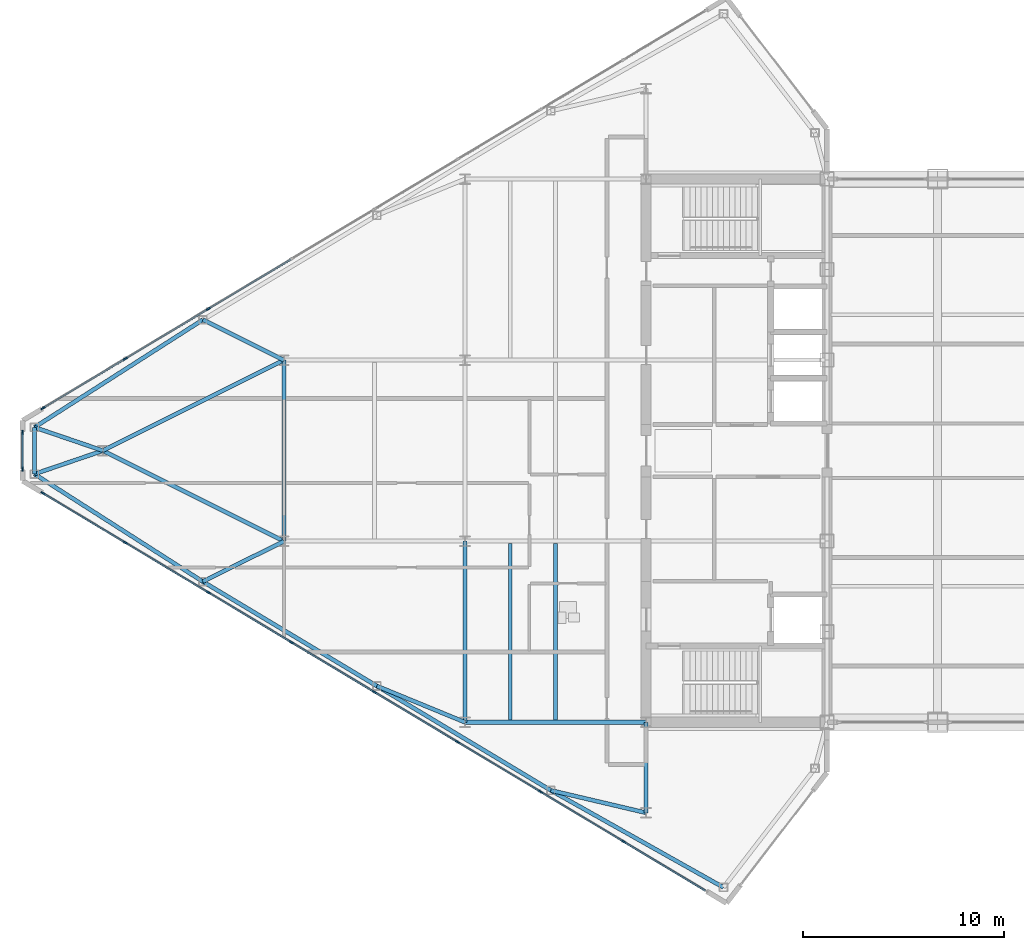
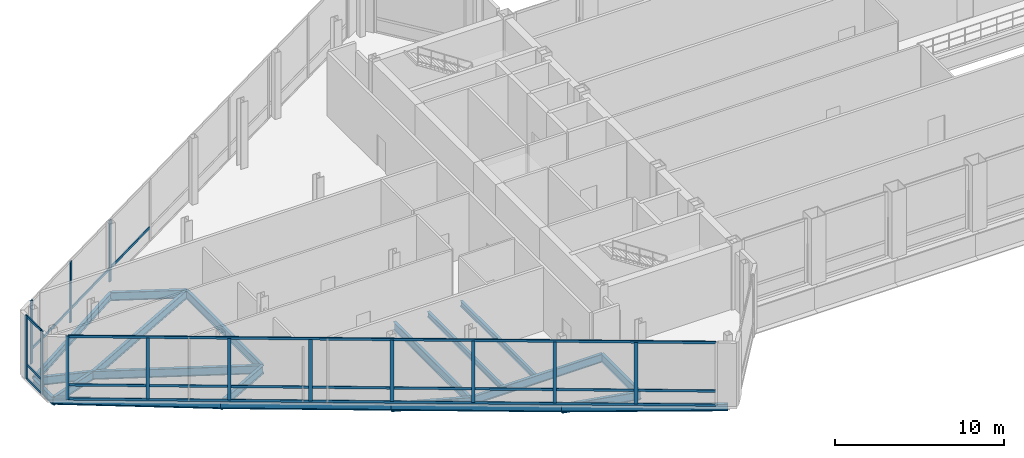
# One storey, part 8 of 30: 29 members, 20 beams, 3 elements without a shape of their own.
"""IFC4 building model written with IfcOpenShell, lengths in metres."""

import ifcopenshell
import ifcopenshell.guid

model = None  # the IFC model being written
_history = None  # IfcOwnerHistory: only IFC2X3 demands one
_inside = {}  # id of a spatial element -> (the spatial element, [elements in it])
_under = {}  # id of a project, library or spatial element -> (it, [spatial elements below it])
_declared = {}  # id of a project -> (the project, [libraries it declares])
_typed = {}  # id of a type object -> (the type object, [elements of that type])
_made_of = {}  # id of a material, layer set ... -> (it, [elements and type objects made of it])


def new_model(schema):
    """Start an empty IFC model of exactly this schema.

    Asked for "IFC4X3", IfcOpenShell would pick the latest addendum, in which some entities
    have other attributes; the version numbers below select the first issue.
    IFC2X3 requires an IfcOwnerHistory on every rooted entity: one is made here for all.
    """
    global model, _history
    if schema == "IFC4X3":
        model = ifcopenshell.file(schema_version=(4, 3, 0, 0))
    else:
        model = ifcopenshell.file(schema=schema)
    _inside.clear()
    _under.clear()
    _declared.clear()
    _typed.clear()
    _made_of.clear()
    _history = None
    if model.schema == "IFC2X3":
        org = make("IfcOrganization", Name="unknown")
        user = make(
            "IfcPersonAndOrganization",
            ThePerson=make("IfcPerson", FamilyName="unknown"),
            TheOrganization=org,
        )
        app = make(
            "IfcApplication",
            ApplicationDeveloper=org,
            Version="unknown",
            ApplicationFullName="unknown",
            ApplicationIdentifier="unknown",
        )
        _history = make(
            "IfcOwnerHistory",
            OwningUser=user,
            OwningApplication=app,
            ChangeAction="ADDED",
            CreationDate=0,
        )
    return model


def make(cls, **values):
    """One entity of the class cls with the attributes given. An attribute that is None is left unset."""
    return model.create_entity(
        cls, **{name: value for name, value in values.items() if value is not None}
    )


def rooted(cls, **values):
    """An entity with a GlobalId (a new one), such as an element, a storey or a relation."""
    return make(cls, GlobalId=ifcopenshell.guid.new(), OwnerHistory=_history, **values)


def si_unit(unit_type, name, prefix=None):
    """IfcSIUnit, for example si_unit("LENGTHUNIT", "METRE", prefix="MILLI")."""
    return make("IfcSIUnit", UnitType=unit_type, Prefix=prefix, Name=name)


def assignment(units):
    """IfcUnitAssignment: the units of a project."""
    return None if units is None else make("IfcUnitAssignment", Units=units)


def point(xyz):
    """IfcCartesianPoint."""
    return None if xyz is None else make("IfcCartesianPoint", Coordinates=xyz)


def direction(xyz):
    """IfcDirection."""
    return None if xyz is None else make("IfcDirection", DirectionRatios=xyz)


def frame(location, z_axis=None, x_axis=None):
    """IfcAxis2Placement3D, a coordinate frame: its origin and axes. An axis left out is left unset."""
    return make(
        "IfcAxis2Placement3D",
        Location=point(location),
        Axis=direction(z_axis),
        RefDirection=direction(x_axis),
    )


def frame_2d(location, x_axis=None):
    """IfcAxis2Placement2D, a coordinate frame in the plane: its origin and x axis."""
    return make(
        "IfcAxis2Placement2D", Location=point(location), RefDirection=direction(x_axis)
    )


def origin():
    """The frame at (0, 0, 0) with its axes left unset."""
    return frame((0.0, 0.0, 0.0))


def origin_2d():
    """The frame at (0, 0) in the plane with its x axis left unset."""
    return frame_2d((0.0, 0.0))


def place(relative_to, where):
    """IfcLocalPlacement: puts the frame where relative to a parent placement (None: the world)."""
    return make(
        "IfcLocalPlacement", PlacementRelTo=relative_to, RelativePlacement=where
    )


def context(
    kind, dimensions, precision=None, world=None, true_north=None, identifier=None
):
    """IfcGeometricRepresentationContext, for example the 3D "Model" context."""
    return make(
        "IfcGeometricRepresentationContext",
        ContextIdentifier=identifier,
        ContextType=kind,
        CoordinateSpaceDimension=dimensions,
        Precision=precision,
        WorldCoordinateSystem=world,
        TrueNorth=true_north,
    )


def subcontext(parent, identifier, kind, view, scale=None):
    """IfcGeometricRepresentationSubContext, for example "Body" below "Model"."""
    return make(
        "IfcGeometricRepresentationSubContext",
        ContextIdentifier=identifier,
        ContextType=kind,
        ParentContext=parent,
        TargetScale=scale,
        TargetView=view,
    )


def project(units=None, contexts=None):
    """IfcProject with its units and contexts."""
    return rooted(
        "IfcProject",
        Name="project",
        RepresentationContexts=contexts,
        UnitsInContext=assignment(units),
    )


def spatial(cls, under=None, at=None, **own):
    """A site, building, storey or space (cls), placed at a placement, below another one or the project."""
    s = rooted(cls, ObjectPlacement=at, **own)
    if under is not None:
        _under.setdefault(under.id(), (under, []))[1].append(s)
    return s


def profile(cls, at=None, kind="AREA", **sizes):
    """A parametric profile (cls). Its sizes go by their IFC names, for example OverallWidth=200.0."""
    return make(cls, ProfileType=kind, Position=at, **sizes)


def rectangle(**sizes):
    """IfcRectangleProfileDef."""
    return profile("IfcRectangleProfileDef", **sizes)


def i_section(**sizes):
    """IfcIShapeProfileDef."""
    return profile("IfcIShapeProfileDef", **sizes)


def extrude(swept, where, along, depth):
    """IfcExtrudedAreaSolid: the profile swept, set in the frame where, extruded along a direction by depth."""
    return make(
        "IfcExtrudedAreaSolid",
        SweptArea=swept,
        Position=where,
        ExtrudedDirection=direction(along),
        Depth=depth,
    )


def shape(context_of_items, identifier, shape_type, items):
    """IfcShapeRepresentation: the items that make up one representation, for example the "Body"."""
    return make(
        "IfcShapeRepresentation",
        ContextOfItems=context_of_items,
        RepresentationIdentifier=identifier,
        RepresentationType=shape_type,
        Items=items,
    )


def source(mapping_origin, context_of_items, identifier, shape_type, items):
    """IfcRepresentationMap: a shape defined once, which mapped items show again and again."""
    return make(
        "IfcRepresentationMap",
        MappingOrigin=mapping_origin,
        MappedRepresentation=shape(context_of_items, identifier, shape_type, items),
    )


def transform(
    local_origin,
    x_axis=None,
    y_axis=None,
    z_axis=None,
    scale=None,
    scale2=None,
    scale3=None,
    uniform=True,
):
    """IfcCartesianTransformationOperator3D, or its non-uniform kind. x_axis, y_axis, z_axis: its Axis1, 2, 3."""
    if uniform:
        return make(
            "IfcCartesianTransformationOperator3D",
            Axis1=direction(x_axis),
            Axis2=direction(y_axis),
            LocalOrigin=point(local_origin),
            Scale=scale,
            Axis3=direction(z_axis),
        )
    return make(
        "IfcCartesianTransformationOperator3DnonUniform",
        Axis1=direction(x_axis),
        Axis2=direction(y_axis),
        LocalOrigin=point(local_origin),
        Scale=scale,
        Axis3=direction(z_axis),
        Scale2=scale2,
        Scale3=scale3,
    )


def mapped(mapping_source, mapping_target):
    """IfcMappedItem: shows the shape of a source again, moved by a transform."""
    return make(
        "IfcMappedItem", MappingSource=mapping_source, MappingTarget=mapping_target
    )


def material(Name=None, Category=None):
    """IfcMaterial."""
    return make("IfcMaterial", Name=Name, Category=Category)


def layer(
    of_material, thickness, ventilated=None, Name=None, Category=None, Priority=None
):
    """IfcMaterialLayer: one layer of a wall or slab, of a material (None: an air gap)."""
    return make(
        "IfcMaterialLayer",
        Material=of_material,
        LayerThickness=thickness,
        IsVentilated=ventilated,
        Name=Name,
        Category=Category,
        Priority=Priority,
    )


def layer_set(layers, Name=None):
    """IfcMaterialLayerSet."""
    return make("IfcMaterialLayerSet", MaterialLayers=layers, LayerSetName=Name)


def material_profile(
    of_material, cross_section, Name=None, Category=None, Priority=None
):
    """IfcMaterialProfile: a cross section and its material."""
    return make(
        "IfcMaterialProfile",
        Name=Name,
        Material=of_material,
        Profile=cross_section,
        Priority=Priority,
        Category=Category,
    )


def profile_set(profiles, Name=None, composite=None):
    """IfcMaterialProfileSet."""
    return make(
        "IfcMaterialProfileSet",
        Name=Name,
        MaterialProfiles=profiles,
        CompositeProfile=composite,
    )


def made_of(thing, what):
    """Note that an element or type object is made of a material, layer set ...; save() writes the relation."""
    if what is not None:
        _made_of.setdefault(what.id(), (what, []))[1].append(thing)
    return thing


def type_object(cls, material=None, **own):
    """A type object (cls), such as IfcWallType, which elements share."""
    return made_of(rooted(cls, **own), material)


def type_shapes(of_type, sources):
    """Give a type object the sources (RepresentationMaps) that its elements show as mapped items."""
    of_type.RepresentationMaps = sources


def element(
    cls,
    number,
    at=None,
    inside=None,
    cuts=None,
    type_object=None,
    material=None,
    context=None,
    identifier="Body",
    shape_type=None,
    held_by="IfcProductDefinitionShape",
    body=None,
    shapes=None,
    **own,
):
    """One element of the class cls, such as IfcWall. Its Tag is "e" and its number.

    at: its placement. inside: the storey or other place that contains it. cuts: it is an
    opening in that element (IfcRelVoidsElement). A single representation is given by context,
    identifier, shape_type and body (its items); several are given by shapes. held_by: the class
    of the entity that holds the representations. save() writes the other relations.
    """
    e = rooted(cls, Tag="e%d" % number, ObjectPlacement=at, **own)
    if body is not None:
        shapes = [shape(context, identifier, shape_type, body)]
    if shapes is not None:
        e.Representation = make(held_by, Representations=shapes)
    if inside is not None:
        _inside.setdefault(inside.id(), (inside, []))[1].append(e)
    if cuts is not None:
        rooted(
            "IfcRelVoidsElement", RelatingBuildingElement=cuts, RelatedOpeningElement=e
        )
    if type_object is not None:
        _typed.setdefault(type_object.id(), (type_object, []))[1].append(e)
    return made_of(e, material)


def aggregate(whole, parts):
    """IfcRelAggregates: a whole, such as a stair, and the parts it consists of."""
    return rooted("IfcRelAggregates", RelatingObject=whole, RelatedObjects=parts)


def save(model, path):
    """Write the relations noted so far, then the file.

    IfcRelAggregates (storeys below a building ...), IfcRelContainedInSpatialStructure (elements
    in a storey), IfcRelDefinesByType, IfcRelAssociatesMaterial and IfcRelDeclares: one each for
    every whole, place, type object, material and project.
    """
    for whole, parts in _under.values():
        aggregate(whole, parts)
    for where, things in _inside.values():
        rooted(
            "IfcRelContainedInSpatialStructure",
            RelatedElements=things,
            RelatingStructure=where,
        )
    for kind, things in _typed.values():
        rooted("IfcRelDefinesByType", RelatedObjects=things, RelatingType=kind)
    for what, things in _made_of.values():
        rooted("IfcRelAssociatesMaterial", RelatedObjects=things, RelatingMaterial=what)
    for by, libraries in _declared.values():
        rooted("IfcRelDeclares", RelatingContext=by, RelatedDefinitions=libraries)
    model.write(path)


model = new_model("IFC4")

# Units and contexts
model_context = context("Model", 3, precision=1e-05, world=origin(), true_north=direction((0.0, 1.0)))
body_context = subcontext(model_context, "Body", "Model", "MODEL_VIEW")
ifc_project = project(units=[si_unit("LENGTHUNIT", "METRE"), si_unit("AREAUNIT", "SQUARE_METRE"), si_unit("VOLUMEUNIT", "CUBIC_METRE"), si_unit("PLANEANGLEUNIT", "RADIAN"), si_unit("MASSUNIT", "GRAM", prefix="KILO")], contexts=[model_context])

# Site, building, storey
site_placement = place(None, origin())
site = spatial("IfcSite", under=ifc_project, at=site_placement, CompositionType="ELEMENT")
building_placement = place(site_placement, origin())
building = spatial("IfcBuilding", under=site, at=building_placement, Name="Seokmaru Belvedere", CompositionType="ELEMENT")
storey_placement = place(building_placement, frame((0.0, 0.0, 234.60009765625)))
storey = spatial("IfcBuildingStorey", under=building, at=storey_placement, Name="L62", CompositionType="ELEMENT", Elevation=234.60009765625)

# Beams
ifc_material_1 = material(Name="Steel SM355 (355 MPa)", Category="steel")
ifc_material_profile_1 = material_profile(ifc_material_1, i_section(OverallWidth=0.199951171875, OverallDepth=0.60009765625, WebThickness=0.010986328125, FlangeThickness=0.01708984375, at=origin_2d()), Name="H-600x200x11x17")
ifc_profile_set_1 = profile_set([ifc_material_profile_1], Name="Steel SM355 (355 MPa)")
beam_type_1 = type_object("IfcBeamType", Name="Primary Floor Girder H-600", PredefinedType="BEAM", material=ifc_profile_set_1)
shared_shape_1 = source(origin(), body_context, "Body", "SweptSolid", [
    extrude(i_section(OverallWidth=0.199951171875, OverallDepth=0.60009765625, WebThickness=0.010986328125, FlangeThickness=0.01708984375, at=origin_2d()), origin(), (0.0, 0.0, 1.0), 9.0),
])
for number, where, z_axis, x_axis, name in (
    (1, (-45.5, -13.5, -0.56005859375), (0.0, 1.0, 0.0), (-1.0, 0.0, 0.0), "L62 W Interior Grid Girder 1"),
    (2, (-45.5, -13.5, -0.56005859375), (1.0, 0.0, 0.0), (0.0, 1.0, 0.0), "L62 W Wing Primary Girder 1"),
    (3, (-54.5, -4.5, -0.56005859375), (0.0, 1.0, 0.0), (-1.0, 0.0, 0.0), "L62 W Apex Frame Girder"),
):
    element("IfcBeam", number, at=place(storey_placement, frame(where, z_axis=z_axis, x_axis=x_axis)), inside=storey, type_object=beam_type_1, Name=name, PredefinedType="BEAM", context=body_context, shape_type="MappedRepresentation", body=[
        mapped(shared_shape_1, transform((0.0, 0.0, 0.0), scale=1.0)),
    ])
shared_shape_2 = source(origin(), body_context, "Body", "SweptSolid", [
    extrude(i_section(OverallWidth=0.199951171875, OverallDepth=0.60009765625, WebThickness=0.010986328125, FlangeThickness=0.01708984375, at=origin_2d()), origin(), (0.0, 0.0, 1.0), 10.062255859375),
])
for number, where, z_axis, x_axis, name in (
    (4, (-54.5, -4.5, -0.56005859375), (-0.894427191, 0.4472135955, 0.0), (-0.4472135955, -0.894427191, 0.0), "L62 W Apex Converging Girder 1"),
    (5, (-54.5, 4.5, -0.56005859375), (-0.894427191, -0.4472135955, 0.0), (0.4472135955, -0.894427191, 0.0), "L62 W Apex Converging Girder 2"),
):
    element("IfcBeam", number, at=place(storey_placement, frame(where, z_axis=z_axis, x_axis=x_axis)), inside=storey, type_object=beam_type_1, Name=name, PredefinedType="BEAM", context=body_context, shape_type="MappedRepresentation", body=[
        mapped(shared_shape_2, transform((0.0, 0.0, 0.0), scale=1.0)),
    ])
ifc_material_profile_2 = material_profile(ifc_material_1, i_section(OverallWidth=0.18505859375, OverallDepth=0.389892578125, WebThickness=0.008056640625, FlangeThickness=0.011962890625, at=origin_2d()), Name="H-390x185x8x12")
ifc_profile_set_2 = profile_set([ifc_material_profile_2], Name="Steel SM355 (355 MPa)")
beam_type_2 = type_object("IfcBeamType", Name="Secondary Floor Joist H-350", PredefinedType="JOIST", material=ifc_profile_set_2)
shared_shape_3 = source(origin(), body_context, "Body", "SweptSolid", [
    extrude(i_section(OverallWidth=0.18505859375, OverallDepth=0.389892578125, WebThickness=0.008056640625, FlangeThickness=0.011962890625, at=origin_2d()), origin(), (0.0, 0.0, 1.0), 8.7900390625),
])
type_shapes(beam_type_2, [shared_shape_3])
for number, where, z_axis, x_axis, name in (
    (6, (-43.25, -13.39501953125, -0.455078125), (0.0, 1.0, 0.0), (-1.0, 0.0, 0.0), "L62 W Wing Inner Secondary Joist 1"),
    (7, (-41.0, -13.39501953125, -0.455078125), (0.0, 1.0, 0.0), (-1.0, 0.0, 0.0), "L62 W Secondary Floor Joist 1"),
):
    element("IfcBeam", number, at=place(storey_placement, frame(where, z_axis=z_axis, x_axis=x_axis)), inside=storey, type_object=beam_type_2, Name=name, PredefinedType="JOIST", context=body_context, shape_type="MappedRepresentation", body=[
        mapped(shared_shape_3, transform((0.0, 0.0, 0.0), scale=1.0)),
    ])
shared_shape_4 = source(origin(), body_context, "Body", "SweptSolid", [
    extrude(i_section(OverallWidth=0.199951171875, OverallDepth=0.60009765625, WebThickness=0.010986328125, FlangeThickness=0.01708984375, at=origin_2d()), origin(), (0.0, 0.0, 1.0), 4.5),
])
beam_1_placement = place(storey_placement, frame((-36.5, -18.0, -0.56005859375), z_axis=(0.0, 1.0, 0.0), x_axis=(-1.0, 0.0, 0.0)))
element("IfcBeam", 8, at=beam_1_placement, inside=storey, type_object=beam_type_1, Name="L62 W Core Shoulder Girder S", PredefinedType="BEAM", context=body_context, shape_type="MappedRepresentation", body=[
    mapped(shared_shape_4, transform((0.0, 0.0, 0.0), scale=1.0)),
])
ifc_material_profile_3 = material_profile(ifc_material_1, i_section(OverallWidth=0.199951171875, OverallDepth=0.5, WebThickness=0.010009765625, FlangeThickness=0.01611328125, at=origin_2d()), Name="H-500x200x10x16")
ifc_profile_set_3 = profile_set([ifc_material_profile_3], Name="Steel SM355 (355 MPa)")
beam_type_3 = type_object("IfcBeamType", Name="Perimeter Spandrel Beam H-500", PredefinedType="SPANDREL", material=ifc_profile_set_3)
shared_shape_5 = source(origin(), body_context, "Body", "SweptSolid", [
    extrude(i_section(OverallWidth=0.199951171875, OverallDepth=0.5, WebThickness=0.010009765625, FlangeThickness=0.01611328125, at=origin_2d()), origin(), (0.0, 0.0, 1.0), 9.842041015625),
])
beam_2_placement = place(storey_placement, frame((-32.649658203125, -21.71044921875, -0.510009765625), z_axis=(-0.871782151818, 0.489893743349, 0.0), x_axis=(-0.489893743349, -0.871782151818, 0.0)))
element("IfcBeam", 9, at=beam_2_placement, inside=storey, type_object=beam_type_3, Name="L62 W Faceted Flank Spandrel S-1", PredefinedType="SPANDREL", context=body_context, shape_type="MappedRepresentation", body=[
    mapped(shared_shape_5, transform((0.0, 0.0, 0.0), scale=1.0)),
])
shared_shape_6 = source(origin(), body_context, "Body", "SweptSolid", [
    extrude(i_section(OverallWidth=0.199951171875, OverallDepth=0.5, WebThickness=0.010009765625, FlangeThickness=0.01611328125, at=origin_2d()), origin(), (0.0, 0.0, 1.0), 10.087646484375),
])
for number, where, z_axis, x_axis, name in (
    (10, (-41.229736328125, -16.888916015625, -0.510009765625), (-0.857499332045, 0.514485078056, 0.0), (-0.514485078056, -0.857499332045, 0.0), "L62 W Faceted Flank Spandrel S-2"),
    (11, (-49.8798828125, -11.698974609375, -0.510009765625), (-0.857488654804, 0.514502873542, 0.0), (-0.514502873542, -0.857488654804, 0.0), "L62 W Faceted Flank Spandrel S-3"),
):
    element("IfcBeam", number, at=place(storey_placement, frame(where, z_axis=z_axis, x_axis=x_axis)), inside=storey, type_object=beam_type_3, Name=name, PredefinedType="SPANDREL", context=body_context, shape_type="MappedRepresentation", body=[
        mapped(shared_shape_6, transform((0.0, 0.0, 0.0), scale=1.0)),
    ])
shared_shape_7 = source(origin(), body_context, "Body", "SweptSolid", [
    extrude(i_section(OverallWidth=0.199951171875, OverallDepth=0.5, WebThickness=0.010009765625, FlangeThickness=0.01611328125, at=origin_2d()), origin(), (0.0, 0.0, 1.0), 9.932861328125),
])
for number, where, z_axis, x_axis, name in (
    (12, (-58.530029296875, -6.5087890625, -0.510009765625), (-0.842651960357, 0.538458609093, 0.0), (-0.538458609093, -0.842651960357, 0.0), "L62 W Faceted Flank Spandrel S-4"),
    (13, (-58.530029296875, 6.5087890625, -0.510009765625), (-0.842651960357, -0.538458609093, 0.0), (0.538458609093, -0.842651960357, 0.0), "L62 W Faceted Flank Spandrel N-4"),
):
    element("IfcBeam", number, at=place(storey_placement, frame(where, z_axis=z_axis, x_axis=x_axis)), inside=storey, type_object=beam_type_3, Name=name, PredefinedType="SPANDREL", context=body_context, shape_type="MappedRepresentation", body=[
        mapped(shared_shape_7, transform((0.0, 0.0, 0.0), scale=1.0)),
    ])
shared_shape_8 = source(origin(), body_context, "Body", "SweptSolid", [
    extrude(i_section(OverallWidth=0.199951171875, OverallDepth=0.5, WebThickness=0.010009765625, FlangeThickness=0.01611328125, at=origin_2d()), origin(), (0.0, 0.0, 1.0), 2.32080078125),
])
type_shapes(beam_type_3, [shared_shape_5, shared_shape_6, shared_shape_7, shared_shape_8])
beam_3_placement = place(storey_placement, frame((-66.89990234375, -1.160400390625, -0.510009765625), z_axis=(0.0, 1.0, 0.0), x_axis=(-1.0, 0.0, 0.0)))
element("IfcBeam", 14, at=beam_3_placement, inside=storey, type_object=beam_type_3, Name="L62 W Faceted Apex Spandrel", PredefinedType="SPANDREL", context=body_context, shape_type="MappedRepresentation", body=[
    mapped(shared_shape_8, transform((0.0, 0.0, 0.0), scale=1.0)),
])
shared_shape_9 = source(origin(), body_context, "Body", "SweptSolid", [
    extrude(i_section(OverallWidth=0.199951171875, OverallDepth=0.60009765625, WebThickness=0.010986328125, FlangeThickness=0.01708984375, at=origin_2d()), origin(), (0.0, 0.0, 1.0), 4.8583984375),
])
beam_4_placement = place(storey_placement, frame((-41.229736328125, -16.888916015625, -0.56005859375), z_axis=(0.97349948295, -0.228689214211, 0.0), x_axis=(0.228689214211, 0.97349948295, 0.0)))
element("IfcBeam", 15, at=beam_4_placement, inside=storey, type_object=beam_type_1, Name="L62 W Flank Radial Floor Girder S-1", PredefinedType="BEAM", context=body_context, shape_type="MappedRepresentation", body=[
    mapped(shared_shape_9, transform((0.0, 0.0, 0.0), scale=1.0)),
])
shared_shape_10 = source(origin(), body_context, "Body", "SweptSolid", [
    extrude(i_section(OverallWidth=0.199951171875, OverallDepth=0.60009765625, WebThickness=0.010986328125, FlangeThickness=0.01708984375, at=origin_2d()), origin(), (0.0, 0.0, 1.0), 4.73583984375),
])
beam_5_placement = place(storey_placement, frame((-49.8798828125, -11.698974609375, -0.56005859375), z_axis=(0.924860562953, -0.380306375301, 0.0), x_axis=(0.380306375301, 0.924860562953, 0.0)))
element("IfcBeam", 16, at=beam_5_placement, inside=storey, type_object=beam_type_1, Name="L62 W Flank Radial Floor Girder S-2", PredefinedType="BEAM", context=body_context, shape_type="MappedRepresentation", body=[
    mapped(shared_shape_10, transform((0.0, 0.0, 0.0), scale=1.0)),
])
shared_shape_11 = source(origin(), body_context, "Body", "SweptSolid", [
    extrude(i_section(OverallWidth=0.199951171875, OverallDepth=0.60009765625, WebThickness=0.010986328125, FlangeThickness=0.01708984375, at=origin_2d()), origin(), (0.0, 0.0, 1.0), 4.5029296875),
])
for number, where, z_axis, x_axis, name in (
    (17, (-58.530029296875, -6.5087890625, -0.56005859375), (0.894979532585, 0.446107202648, 0.0), (-0.446107202648, 0.894979532585, 0.0), "L62 W Flank Radial Floor Girder S-3"),
    (18, (-58.530029296875, 6.5087890625, -0.56005859375), (0.894979532585, -0.446107202648, 0.0), (0.446107202648, 0.894979532585, 0.0), "L62 W Flank Radial Floor Girder N-3"),
):
    element("IfcBeam", number, at=place(storey_placement, frame(where, z_axis=z_axis, x_axis=x_axis)), inside=storey, type_object=beam_type_1, Name=name, PredefinedType="BEAM", context=body_context, shape_type="MappedRepresentation", body=[
        mapped(shared_shape_11, transform((0.0, 0.0, 0.0), scale=1.0)),
    ])
shared_shape_12 = source(origin(), body_context, "Body", "SweptSolid", [
    extrude(i_section(OverallWidth=0.199951171875, OverallDepth=0.60009765625, WebThickness=0.010986328125, FlangeThickness=0.01708984375, at=origin_2d()), origin(), (0.0, 0.0, 1.0), 3.592529296875),
])
type_shapes(beam_type_1, [shared_shape_1, shared_shape_2, shared_shape_4, shared_shape_9, shared_shape_10, shared_shape_11, shared_shape_12])
for number, where, z_axis, x_axis, name in (
    (19, (-66.89990234375, -1.160400390625, -0.56005859375), (0.946395973048, 0.323008764893, 0.0), (-0.323008764893, 0.946395973048, 0.0), "L62 W Apex Radial Floor Girder 1"),
    (20, (-66.89990234375, 1.160400390625, -0.56005859375), (0.946395973048, -0.323008764893, 0.0), (0.323008764893, 0.946395973048, 0.0), "L62 W Apex Radial Floor Girder 2"),
):
    element("IfcBeam", number, at=place(storey_placement, frame(where, z_axis=z_axis, x_axis=x_axis)), inside=storey, type_object=beam_type_1, Name=name, PredefinedType="BEAM", context=body_context, shape_type="MappedRepresentation", body=[
        mapped(shared_shape_12, transform((0.0, 0.0, 0.0), scale=1.0)),
    ])

# Curtain wall, members
ifc_material_2 = material(Name="Bronze Triple Insulating Glass", Category="glass")
ifc_layer = layer(ifc_material_2, 0.219970703125)
ifc_layer_set = layer_set([ifc_layer], Name="Bronze Triple Insulating Glass")
curtain_wall_type = type_object("IfcCurtainWallType", Name="Sky-Gate Bridge Panorama Curtain Wall System CW-6", PredefinedType="NOTDEFINED", material=ifc_layer_set)
curtain_wall_1_placement = place(storey_placement, origin())
curtain_wall_1 = element("IfcCurtainWall", 21, at=curtain_wall_1_placement, inside=storey, type_object=curtain_wall_type, Name="L62 Curtain Wall WF5", PredefinedType="NOTDEFINED")
ifc_material_3 = material(Name="Anodised Bronze Aluminium", Category="aluminium")
ifc_material_profile_4 = material_profile(ifc_material_3, rectangle(XDim=0.074951171875, YDim=0.179931640625, at=origin_2d()), Name="CW-T-75x180")
ifc_profile_set_4 = profile_set([ifc_material_profile_4], Name="Anodised Bronze Aluminium")
member_type_1 = type_object("IfcMemberType", Name="Bronze Unitised Transom 75x180", PredefinedType="USERDEFINED", material=ifc_profile_set_4)
shared_shape_13 = source(origin(), body_context, "Body", "SweptSolid", [
    extrude(rectangle(XDim=0.074951171875, YDim=0.179931640625, at=origin_2d()), origin(), (0.0, 0.0, 1.0), 38.356689453125),
])
member_1_placement = place(storey_placement, frame((-66.4453125, -2.1328125, 0.037353515625), z_axis=(0.857492925713, -0.514495755428, 0.0), x_axis=(0.514495755428, 0.857492925713, 0.0)))
member_1 = element("IfcMember", 22, at=member_1_placement, type_object=member_type_1, Name="CW:L62:WF5 Continuous Transom 1", ObjectType="TRANSOM", PredefinedType="USERDEFINED", context=body_context, shape_type="MappedRepresentation", body=[
    mapped(shared_shape_13, transform((0.0, 0.0, 0.0), scale=1.0)),
])
member_2_placement = place(storey_placement, frame((-66.4453125, -2.1328125, 4.54248046875), z_axis=(0.857492925713, -0.514495755428, 0.0), x_axis=(0.514495755428, 0.857492925713, 0.0)))
member_2 = element("IfcMember", 23, at=member_2_placement, type_object=member_type_1, Name="CW:L62:WF5 Continuous Transom 2", ObjectType="TRANSOM", PredefinedType="USERDEFINED", context=body_context, shape_type="MappedRepresentation", body=[
    mapped(shared_shape_13, transform((0.0, 0.0, 0.0), scale=1.0)),
])

# Curtain wall, member
curtain_wall_2_placement = place(storey_placement, origin())
curtain_wall_2 = element("IfcCurtainWall", 24, at=curtain_wall_2_placement, inside=storey, type_object=curtain_wall_type, Name="L62 Curtain Wall WF3", PredefinedType="NOTDEFINED")
shared_shape_14 = source(origin(), body_context, "Body", "SweptSolid", [
    extrude(rectangle(XDim=0.074951171875, YDim=0.179931640625, at=origin_2d()), origin(), (0.0, 0.0, 1.0), 4.694580078125),
])
member_3_placement = place(storey_placement, frame((-62.419677734375, 4.548095703125, 1.0498046875), z_axis=(-0.85750210284, -0.514480459906, 0.0), x_axis=(0.514480459906, -0.85750210284, 0.0)))
member_3 = element("IfcMember", 25, at=member_3_placement, type_object=member_type_1, Name="CW:L62:WF3 Spandrel Transom 8", ObjectType="TRANSOM", PredefinedType="USERDEFINED", context=body_context, shape_type="MappedRepresentation", body=[
    mapped(shared_shape_14, transform((0.0, 0.0, 0.0), scale=1.0)),
])

# Member
member_4_placement = place(storey_placement, frame((-66.4453125, -2.1328125, 1.0498046875), z_axis=(0.85750210284, -0.514480459906, 0.0), x_axis=(0.514480459906, 0.85750210284, 0.0)))
member_4 = element("IfcMember", 26, at=member_4_placement, type_object=member_type_1, Name="CW:L62:WF5 Spandrel Transom 1", ObjectType="TRANSOM", PredefinedType="USERDEFINED", context=body_context, shape_type="MappedRepresentation", body=[
    mapped(shared_shape_14, transform((0.0, 0.0, 0.0), scale=1.0)),
])

member_5_placement = place(storey_placement, frame((-37.580322265625, -19.451904296875, 1.0498046875), z_axis=(0.85750210284, -0.514480459906, 0.0), x_axis=(0.514480459906, 0.85750210284, 0.0)))
member_5 = element("IfcMember", 27, at=member_5_placement, type_object=member_type_1, Name="CW:L62:WF5 Spandrel Transom 8", ObjectType="TRANSOM", PredefinedType="USERDEFINED", context=body_context, shape_type="MappedRepresentation", body=[
    mapped(shared_shape_14, transform((0.0, 0.0, 0.0), scale=1.0)),
])

shared_shape_15 = source(origin(), body_context, "Body", "SweptSolid", [
    extrude(rectangle(XDim=0.074951171875, YDim=0.179931640625, at=origin_2d()), origin(), (0.0, 0.0, 1.0), 4.734619140625),
])
member_6_placement = place(storey_placement, frame((-58.291259765625, 7.025390625, 1.0498046875), z_axis=(-0.857479275774, -0.514518504641, 0.0), x_axis=(0.514518504641, -0.857479275774, 0.0)))
member_6 = element("IfcMember", 28, at=member_6_placement, type_object=member_type_1, Name="CW:L62:WF3 Spandrel Transom 7", ObjectType="TRANSOM", PredefinedType="USERDEFINED", context=body_context, shape_type="MappedRepresentation", body=[
    mapped(shared_shape_15, transform((0.0, 0.0, 0.0), scale=1.0)),
])

member_7_placement = place(storey_placement, frame((-62.35107421875, -4.58935546875, 1.0498046875), z_axis=(0.857479275774, -0.514518504641, 0.0), x_axis=(0.514518504641, 0.857479275774, 0.0)))
member_7 = element("IfcMember", 29, at=member_7_placement, type_object=member_type_1, Name="CW:L62:WF5 Spandrel Transom 2", ObjectType="TRANSOM", PredefinedType="USERDEFINED", context=body_context, shape_type="MappedRepresentation", body=[
    mapped(shared_shape_15, transform((0.0, 0.0, 0.0), scale=1.0)),
])

member_8_placement = place(storey_placement, frame((-41.708740234375, -16.974609375, 1.0498046875), z_axis=(0.857479275774, -0.514518504641, 0.0), x_axis=(0.514518504641, 0.857479275774, 0.0)))
member_8 = element("IfcMember", 30, at=member_8_placement, type_object=member_type_1, Name="CW:L62:WF5 Spandrel Transom 7", ObjectType="TRANSOM", PredefinedType="USERDEFINED", context=body_context, shape_type="MappedRepresentation", body=[
    mapped(shared_shape_15, transform((0.0, 0.0, 0.0), scale=1.0)),
])

shared_shape_16 = source(origin(), body_context, "Body", "SweptSolid", [
    extrude(rectangle(XDim=0.074951171875, YDim=0.179931640625, at=origin_2d()), origin(), (0.0, 0.0, 1.0), 4.734375),
])
member_9_placement = place(storey_placement, frame((-54.162841796875, 9.502197265625, 1.0498046875), z_axis=(-0.857502025578, -0.514480588682, 0.0), x_axis=(0.514480588682, -0.857502025578, 0.0)))
member_9 = element("IfcMember", 31, at=member_9_placement, type_object=member_type_1, Name="CW:L62:WF3 Spandrel Transom 6", ObjectType="TRANSOM", PredefinedType="USERDEFINED", context=body_context, shape_type="MappedRepresentation", body=[
    mapped(shared_shape_16, transform((0.0, 0.0, 0.0), scale=1.0)),
])

member_10_placement = place(storey_placement, frame((-58.22265625, -7.06640625, 1.0498046875), z_axis=(0.857502025578, -0.514480588682, 0.0), x_axis=(0.514480588682, 0.857502025578, 0.0)))
member_10 = element("IfcMember", 32, at=member_10_placement, type_object=member_type_1, Name="CW:L62:WF5 Spandrel Transom 3", ObjectType="TRANSOM", PredefinedType="USERDEFINED", context=body_context, shape_type="MappedRepresentation", body=[
    mapped(shared_shape_16, transform((0.0, 0.0, 0.0), scale=1.0)),
])

member_11_placement = place(storey_placement, frame((-45.837158203125, -14.497802734375, 1.0498046875), z_axis=(0.857502025578, -0.514480588682, 0.0), x_axis=(0.514480588682, 0.857502025578, 0.0)))
member_11 = element("IfcMember", 33, at=member_11_placement, type_object=member_type_1, Name="CW:L62:WF5 Spandrel Transom 6", ObjectType="TRANSOM", PredefinedType="USERDEFINED", context=body_context, shape_type="MappedRepresentation", body=[
    mapped(shared_shape_16, transform((0.0, 0.0, 0.0), scale=1.0)),
])

shared_shape_17 = source(origin(), body_context, "Body", "SweptSolid", [
    extrude(rectangle(XDim=0.074951171875, YDim=0.179931640625, at=origin_2d()), origin(), (0.0, 0.0, 1.0), 4.73486328125),
])
member_12_placement = place(storey_placement, frame((-54.09423828125, -9.54345703125, 1.0498046875), z_axis=(0.857492925713, -0.514495755428, 0.0), x_axis=(0.514495755428, 0.857492925713, 0.0)))
member_12 = element("IfcMember", 34, at=member_12_placement, type_object=member_type_1, Name="CW:L62:WF5 Spandrel Transom 4", ObjectType="TRANSOM", PredefinedType="USERDEFINED", context=body_context, shape_type="MappedRepresentation", body=[
    mapped(shared_shape_17, transform((0.0, 0.0, 0.0), scale=1.0)),
])

member_13_placement = place(storey_placement, frame((-49.9658203125, -12.0205078125, 1.0498046875), z_axis=(0.857492925713, -0.514495755428, 0.0), x_axis=(0.514495755428, 0.857492925713, 0.0)))
member_13 = element("IfcMember", 35, at=member_13_placement, type_object=member_type_1, Name="CW:L62:WF5 Spandrel Transom 5", ObjectType="TRANSOM", PredefinedType="USERDEFINED", context=body_context, shape_type="MappedRepresentation", body=[
    mapped(shared_shape_17, transform((0.0, 0.0, 0.0), scale=1.0)),
])

# Curtain wall, members
curtain_wall_3_placement = place(storey_placement, origin())
curtain_wall_3 = element("IfcCurtainWall", 36, at=curtain_wall_3_placement, inside=storey, type_object=curtain_wall_type, Name="L62 Curtain Wall WF4", PredefinedType="NOTDEFINED")
shared_shape_18 = source(origin(), body_context, "Body", "SweptSolid", [
    extrude(rectangle(XDim=0.074951171875, YDim=0.179931640625, at=origin_2d()), origin(), (0.0, 0.0, 1.0), 1.740234375),
])
type_shapes(member_type_1, [shared_shape_13, shared_shape_14, shared_shape_15, shared_shape_16, shared_shape_17, shared_shape_18])
member_14_placement = place(storey_placement, frame((-67.5, 0.8701171875, 0.037353515625), z_axis=(0.0, -1.0, 0.0), x_axis=(1.0, 0.0, 0.0)))
member_14 = element("IfcMember", 37, at=member_14_placement, type_object=member_type_1, Name="CW:L62:WF4 Continuous Transom 1", ObjectType="TRANSOM", PredefinedType="USERDEFINED", context=body_context, shape_type="MappedRepresentation", body=[
    mapped(shared_shape_18, transform((0.0, 0.0, 0.0), scale=1.0)),
])
member_15_placement = place(storey_placement, frame((-67.5, 0.8701171875, 4.54248046875), z_axis=(0.0, -1.0, 0.0), x_axis=(1.0, 0.0, 0.0)))
member_15 = element("IfcMember", 38, at=member_15_placement, type_object=member_type_1, Name="CW:L62:WF4 Continuous Transom 2", ObjectType="TRANSOM", PredefinedType="USERDEFINED", context=body_context, shape_type="MappedRepresentation", body=[
    mapped(shared_shape_18, transform((0.0, 0.0, 0.0), scale=1.0)),
])
member_16_placement = place(storey_placement, frame((-67.5, 0.8701171875, 1.0498046875), z_axis=(0.0, -1.0, 0.0), x_axis=(1.0, 0.0, 0.0)))
member_16 = element("IfcMember", 39, at=member_16_placement, type_object=member_type_1, Name="CW:L62:WF4 Spandrel Transom 1", ObjectType="TRANSOM", PredefinedType="USERDEFINED", context=body_context, shape_type="MappedRepresentation", body=[
    mapped(shared_shape_18, transform((0.0, 0.0, 0.0), scale=1.0)),
])

# Member
ifc_material_profile_5 = material_profile(ifc_material_3, rectangle(XDim=0.080078125, YDim=0.219970703125, at=origin_2d()), Name="CW-M-80x220")
ifc_profile_set_5 = profile_set([ifc_material_profile_5], Name="Anodised Bronze Aluminium")
member_type_2 = type_object("IfcMemberType", Name="Bronze Unitised Mullion 80x220", PredefinedType="MULLION", material=ifc_profile_set_5)
shared_shape_19 = source(origin(), body_context, "Body", "SweptSolid", [
    extrude(rectangle(XDim=0.080078125, YDim=0.219970703125, at=origin_2d()), origin(), (0.0, 0.0, 1.0), 4.579833984375),
])
member_17_placement = place(storey_placement, frame((-66.4794921875, 2.1123046875, 0.0), z_axis=(0.0, 0.0, 1.0), x_axis=(0.514494909364, -0.85749343335, 0.0)))
member_17 = element("IfcMember", 40, at=member_17_placement, type_object=member_type_2, Name="CW:L62:WF3 Mullion 9", PredefinedType="MULLION", context=body_context, shape_type="MappedRepresentation", body=[
    mapped(shared_shape_19, transform((0.0, 0.0, 0.0), scale=1.0)),
])

member_18_placement = place(storey_placement, frame((-67.5, 0.909912109375, 0.0), z_axis=(0.0, 0.0, 1.0), x_axis=(1.0, 0.0, 0.0)))
member_18 = element("IfcMember", 41, at=member_18_placement, type_object=member_type_2, Name="CW:L62:WF4 Mullion 1", PredefinedType="MULLION", context=body_context, shape_type="MappedRepresentation", body=[
    mapped(shared_shape_19, transform((0.0, 0.0, 0.0), scale=1.0)),
])

member_19_placement = place(storey_placement, frame((-67.5, -0.909912109375, 0.0), z_axis=(0.0, 0.0, 1.0), x_axis=(1.0, 0.0, 0.0)))
member_19 = element("IfcMember", 42, at=member_19_placement, type_object=member_type_2, Name="CW:L62:WF4 Mullion 2", PredefinedType="MULLION", context=body_context, shape_type="MappedRepresentation", body=[
    mapped(shared_shape_19, transform((0.0, 0.0, 0.0), scale=1.0)),
])

aggregate(curtain_wall_3, [member_18, member_19, member_14, member_15, member_16])

member_20_placement = place(storey_placement, frame((-66.4794921875, -2.1123046875, 0.0), z_axis=(0.0, 0.0, 1.0), x_axis=(0.514494909364, 0.85749343335, 0.0)))
member_20 = element("IfcMember", 43, at=member_20_placement, type_object=member_type_2, Name="CW:L62:WF5 Mullion 1", PredefinedType="MULLION", context=body_context, shape_type="MappedRepresentation", body=[
    mapped(shared_shape_19, transform((0.0, 0.0, 0.0), scale=1.0)),
])

shared_shape_20 = source(origin(), body_context, "Body", "SweptSolid", [
    extrude(rectangle(XDim=0.080078125, YDim=0.219970703125, at=origin_2d()), origin(), (0.0, 0.0, 1.0), 4.429931640625),
])
type_shapes(member_type_2, [shared_shape_19, shared_shape_20])
member_21_placement = place(storey_placement, frame((-58.257080078125, 7.0458984375, 0.074951171875), z_axis=(0.0, 0.0, 1.0), x_axis=(0.514494909364, -0.85749343335, 0.0)))
member_21 = element("IfcMember", 44, at=member_21_placement, type_object=member_type_2, Name="CW:L62:WF3 Mullion 7", PredefinedType="MULLION", context=body_context, shape_type="MappedRepresentation", body=[
    mapped(shared_shape_20, transform((0.0, 0.0, 0.0), scale=1.0)),
])

member_22_placement = place(storey_placement, frame((-62.385498046875, 4.56884765625, 0.074951171875), z_axis=(0.0, 0.0, 1.0), x_axis=(0.514494909364, -0.85749343335, 0.0)))
member_22 = element("IfcMember", 45, at=member_22_placement, type_object=member_type_2, Name="CW:L62:WF3 Mullion 8", PredefinedType="MULLION", context=body_context, shape_type="MappedRepresentation", body=[
    mapped(shared_shape_20, transform((0.0, 0.0, 0.0), scale=1.0)),
])

aggregate(curtain_wall_2, [member_21, member_22, member_17, member_9, member_6, member_3])

member_23_placement = place(storey_placement, frame((-62.385498046875, -4.56884765625, 0.074951171875), z_axis=(0.0, 0.0, 1.0), x_axis=(0.514494909364, 0.85749343335, 0.0)))
member_23 = element("IfcMember", 46, at=member_23_placement, type_object=member_type_2, Name="CW:L62:WF5 Mullion 2", PredefinedType="MULLION", context=body_context, shape_type="MappedRepresentation", body=[
    mapped(shared_shape_20, transform((0.0, 0.0, 0.0), scale=1.0)),
])

member_24_placement = place(storey_placement, frame((-58.257080078125, -7.0458984375, 0.074951171875), z_axis=(0.0, 0.0, 1.0), x_axis=(0.514494909364, 0.85749343335, 0.0)))
member_24 = element("IfcMember", 47, at=member_24_placement, type_object=member_type_2, Name="CW:L62:WF5 Mullion 3", PredefinedType="MULLION", context=body_context, shape_type="MappedRepresentation", body=[
    mapped(shared_shape_20, transform((0.0, 0.0, 0.0), scale=1.0)),
])

member_25_placement = place(storey_placement, frame((-54.12841796875, -9.52294921875, 0.074951171875), z_axis=(0.0, 0.0, 1.0), x_axis=(0.514494909364, 0.85749343335, 0.0)))
member_25 = element("IfcMember", 48, at=member_25_placement, type_object=member_type_2, Name="CW:L62:WF5 Mullion 4", PredefinedType="MULLION", context=body_context, shape_type="MappedRepresentation", body=[
    mapped(shared_shape_20, transform((0.0, 0.0, 0.0), scale=1.0)),
])

member_26_placement = place(storey_placement, frame((-50.0, -12.0, 0.074951171875), z_axis=(0.0, 0.0, 1.0), x_axis=(0.514494909364, 0.85749343335, 0.0)))
member_26 = element("IfcMember", 49, at=member_26_placement, type_object=member_type_2, Name="CW:L62:WF5 Mullion 5", PredefinedType="MULLION", context=body_context, shape_type="MappedRepresentation", body=[
    mapped(shared_shape_20, transform((0.0, 0.0, 0.0), scale=1.0)),
])

member_27_placement = place(storey_placement, frame((-45.87158203125, -14.47705078125, 0.074951171875), z_axis=(0.0, 0.0, 1.0), x_axis=(0.514494909364, 0.85749343335, 0.0)))
member_27 = element("IfcMember", 50, at=member_27_placement, type_object=member_type_2, Name="CW:L62:WF5 Mullion 6", PredefinedType="MULLION", context=body_context, shape_type="MappedRepresentation", body=[
    mapped(shared_shape_20, transform((0.0, 0.0, 0.0), scale=1.0)),
])

member_28_placement = place(storey_placement, frame((-41.742919921875, -16.9541015625, 0.074951171875), z_axis=(0.0, 0.0, 1.0), x_axis=(0.514494909364, 0.85749343335, 0.0)))
member_28 = element("IfcMember", 51, at=member_28_placement, type_object=member_type_2, Name="CW:L62:WF5 Mullion 7", PredefinedType="MULLION", context=body_context, shape_type="MappedRepresentation", body=[
    mapped(shared_shape_20, transform((0.0, 0.0, 0.0), scale=1.0)),
])

member_29_placement = place(storey_placement, frame((-37.614501953125, -19.43115234375, 0.074951171875), z_axis=(0.0, 0.0, 1.0), x_axis=(0.514494909364, 0.85749343335, 0.0)))
member_29 = element("IfcMember", 52, at=member_29_placement, type_object=member_type_2, Name="CW:L62:WF5 Mullion 8", PredefinedType="MULLION", context=body_context, shape_type="MappedRepresentation", body=[
    mapped(shared_shape_20, transform((0.0, 0.0, 0.0), scale=1.0)),
])

aggregate(curtain_wall_1, [member_20, member_23, member_24, member_25, member_26, member_27, member_28, member_29, member_1, member_2, member_4, member_7, member_10, member_12, member_13, member_11, member_8, member_5])

save(model, "model.ifc")
